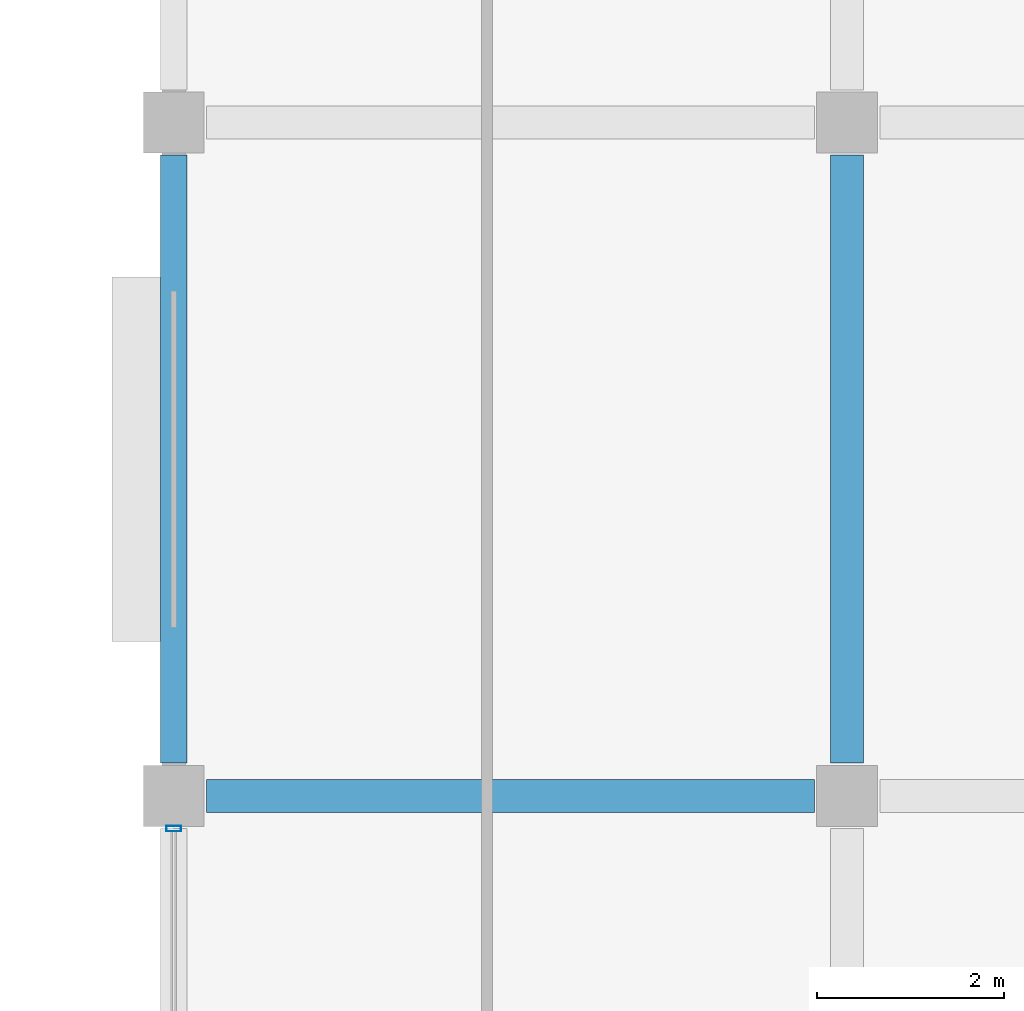
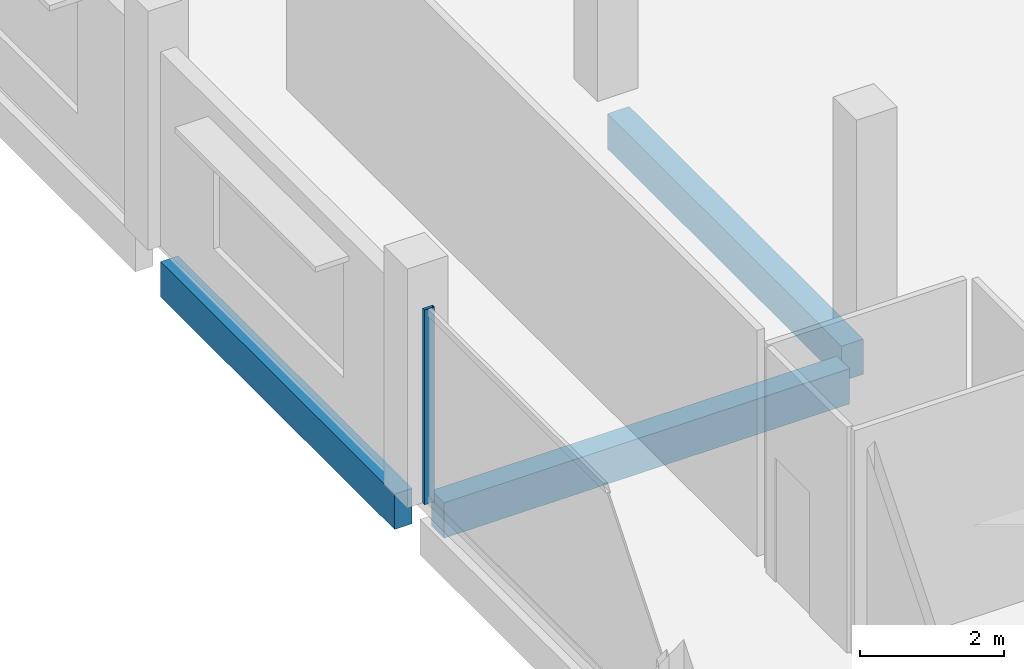
# One storey, part 34 of 77: 3 beams, 1 member, 1 element without a shape of its own.
"""IFC4 building model written with IfcOpenShell, lengths in metres."""

from ifc_helpers import new_model, si_unit, direction, frame, origin, origin_2d, place, context, subcontext, project, spatial, rectangle, hollow_rectangle, extrude, material, layer, layer_set, material_profile, profile_set, type_object, element, aggregate, save


model = new_model("IFC4")

# Units and contexts
model_context = context("Model", 3, precision=1e-05, world=origin(), true_north=direction((0.0, 1.0)))
body_context = subcontext(model_context, "Body", "Model", "MODEL_VIEW")
ifc_project = project(units=[si_unit("LENGTHUNIT", "METRE"), si_unit("AREAUNIT", "SQUARE_METRE"), si_unit("VOLUMEUNIT", "CUBIC_METRE"), si_unit("PLANEANGLEUNIT", "RADIAN"), si_unit("MASSUNIT", "GRAM", prefix="KILO")], contexts=[model_context])

# Site, building, storey
site_placement = place(None, origin())
site = spatial("IfcSite", under=ifc_project, at=site_placement, CompositionType="ELEMENT")
building_placement = place(site_placement, origin())
building = spatial("IfcBuilding", under=site, at=building_placement, Name="Kangsadwip Square Police Headquarters", CompositionType="ELEMENT")
storey_placement = place(building_placement, frame((0.0, 0.0, 17.550048828125)))
storey = spatial("IfcBuildingStorey", under=building, at=storey_placement, Name="L04", CompositionType="ELEMENT", Elevation=17.550048828125)

# Curtain wall, member
ifc_material_1 = material(Name="Thermally broken anodised aluminium AW-6063-T6", Category="aluminium")
ifc_layer = layer(ifc_material_1, 0.159912109375)
ifc_layer_set = layer_set([ifc_layer], Name="Thermally broken anodised aluminium AW-6063-T6")
curtain_wall_type = type_object("IfcCurtainWallType", Name="CourtScreen6560x3300", PredefinedType="USERDEFINED", material=ifc_layer_set)
curtain_wall_placement = place(storey_placement, origin())
curtain_wall = element("IfcCurtainWall", 1, at=curtain_wall_placement, inside=storey, type_object=curtain_wall_type, Name="Curtain Wall CW-L04-1440-0723", ObjectType="GLAZED_SCREEN", PredefinedType="USERDEFINED")
ifc_material_2 = material(Name="Thermally broken anodised aluminium AW-6063-T6", Category="aluminium")
ifc_material_profile_1 = material_profile(ifc_material_2, hollow_rectangle(XDim=0.06005859375, YDim=0.159912109375, WallThickness=0.00390625, at=origin_2d()), Name="CWM 160X60X4")
ifc_profile_set_1 = profile_set([ifc_material_profile_1], Name="Thermally broken anodised aluminium AW-6063-T6")
member_type = type_object("IfcMemberType", Name="CwMullion135x60", PredefinedType="MULLION", material=ifc_profile_set_1)
member_placement = place(storey_placement, frame((144.0, 78.85009765625, 0.0), z_axis=(0.0, 0.0, 1.0), x_axis=(0.0, 1.0, 0.0)))
member = element("IfcMember", 2, at=member_placement, type_object=member_type, Name="CW-48 mullion 2", PredefinedType="MULLION", context=body_context, shape_type="SweptSolid", body=[
    extrude(hollow_rectangle(XDim=0.06005859375, YDim=0.159912109375, WallThickness=0.00390625, at=origin_2d()), origin(), (0.0, 0.0, 1.0), 3.300048828125),
])
aggregate(curtain_wall, [member])

# Beams
ifc_material_3 = material(Name="Concrete M35 (35 MPa)", Category="concrete")
ifc_material_profile_2 = material_profile(ifc_material_3, rectangle(XDim=0.35009765625, YDim=0.60009765625, at=origin_2d()), Name="RC BM 600X350")
ifc_profile_set_2 = profile_set([ifc_material_profile_2], Name="Concrete M35 (35 MPa)")
beam_type_1 = type_object("IfcBeamType", Name="RcBeam600x350", PredefinedType="BEAM", material=ifc_profile_set_2)
for number, where, z_axis, x_axis, name in (
    (3, (144.35009765625, 79.199951171875, -0.5400390625), (1.0, 0.0, 0.0), (0.0, 1.0, 0.0), "Beam BM-L04-X-20-11"),
    (4, (151.199951171875, 79.550048828125, -0.5400390625), (0.0, 1.0, 0.0), (-1.0, 0.0, 0.0), "Beam BM-L04-Y-21-11"),
):
    element("IfcBeam", number, at=place(storey_placement, frame(where, z_axis=z_axis, x_axis=x_axis)), inside=storey, type_object=beam_type_1, Name=name, PredefinedType="BEAM", context=body_context, shape_type="SweptSolid", body=[
        extrude(rectangle(XDim=0.35009765625, YDim=0.60009765625, at=origin_2d()), origin(), (0.0, 0.0, 1.0), 6.5),
    ])
ifc_material_4 = material(Name="Concrete M40 (40 MPa)", Category="concrete")
ifc_material_profile_3 = material_profile(ifc_material_4, rectangle(XDim=0.280029296875, YDim=0.60009765625, at=origin_2d()), Name="RC SPN 600X280")
ifc_profile_set_3 = profile_set([ifc_material_profile_3], Name="Concrete M40 (40 MPa)")
beam_type_2 = type_object("IfcBeamType", Name="RcSpandrel600x280", PredefinedType="SPANDREL", material=ifc_profile_set_3)
beam_placement = place(storey_placement, frame((144.0, 79.550048828125, -0.5400390625), z_axis=(0.0, 1.0, 0.0), x_axis=(-1.0, 0.0, 0.0)))
element("IfcBeam", 5, at=beam_placement, inside=storey, type_object=beam_type_2, Name="Beam BM-L04-Y-20-11", PredefinedType="SPANDREL", context=body_context, shape_type="SweptSolid", body=[
    extrude(rectangle(XDim=0.280029296875, YDim=0.60009765625, at=origin_2d()), origin(), (0.0, 0.0, 1.0), 6.5),
])

save(model, "model.ifc")
